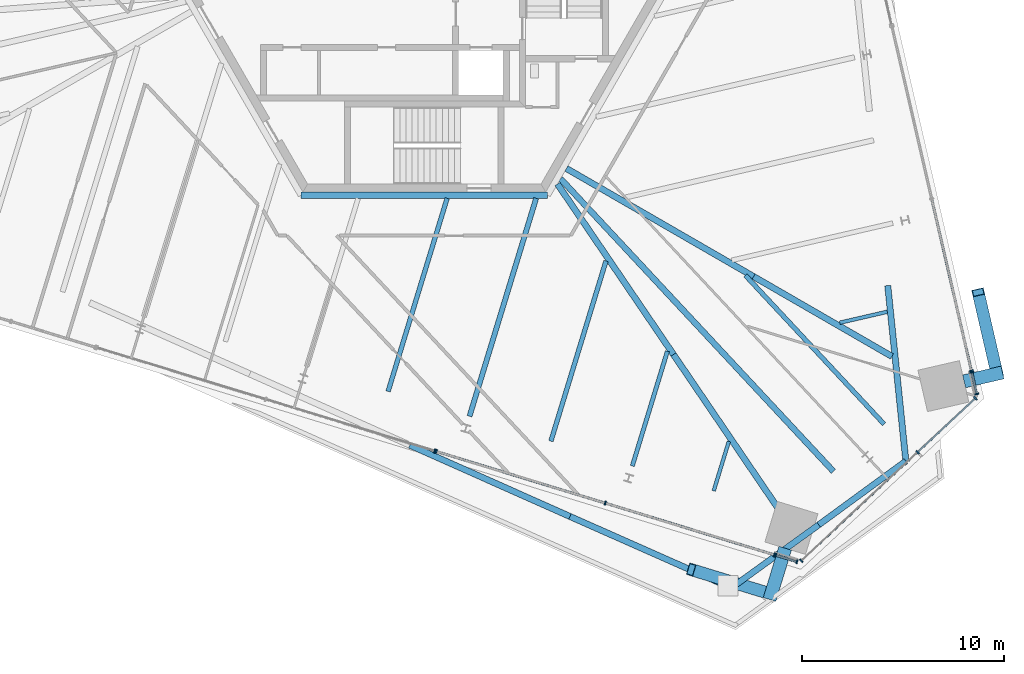
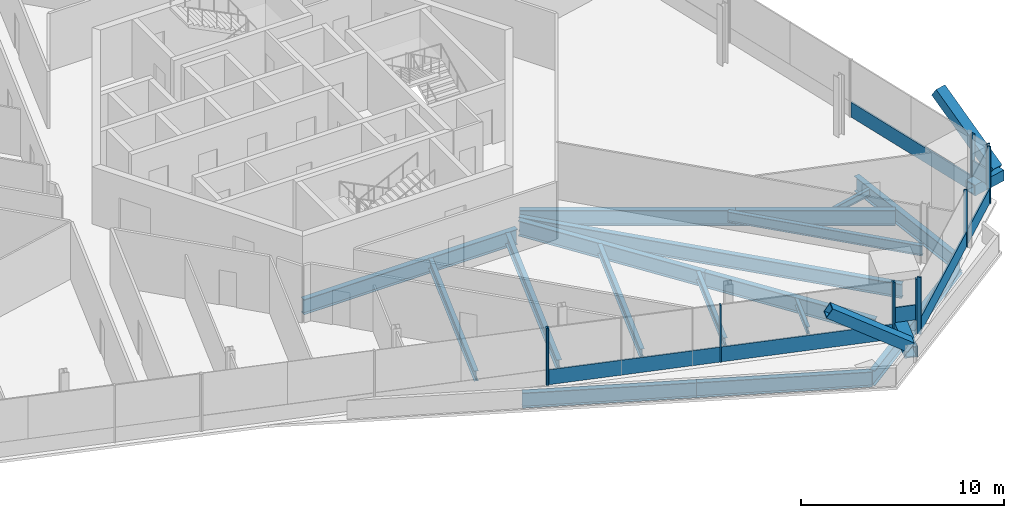
# One storey, part 6 of 25: 23 members, 18 beams, 6 elements without a shape of their own.
"""IFC4 building model written with IfcOpenShell, lengths in metres."""

from ifc_helpers import new_model, si_unit, direction, frame, origin, origin_2d, place, context, subcontext, project, spatial, rectangle, hollow_rectangle, i_section, extrude, source, transform, mapped, material, material_profile, profile_set, type_object, element, aggregate, save


model = new_model("IFC4")

# Units and contexts
model_context = context("Model", 3, precision=1e-05, world=origin(), true_north=direction((0.0, 1.0)))
body_context = subcontext(model_context, "Body", "Model", "MODEL_VIEW")
ifc_project = project(units=[si_unit("LENGTHUNIT", "METRE"), si_unit("AREAUNIT", "SQUARE_METRE"), si_unit("VOLUMEUNIT", "CUBIC_METRE"), si_unit("PLANEANGLEUNIT", "RADIAN"), si_unit("MASSUNIT", "GRAM", prefix="KILO")], contexts=[model_context])

# Site, building, storey
site_placement = place(None, origin())
site = spatial("IfcSite", under=ifc_project, at=site_placement, CompositionType="ELEMENT")
building_placement = place(site_placement, origin())
building = spatial("IfcBuilding", under=site, at=building_placement, Name="Triune Harvest Tower", CompositionType="ELEMENT")
storey_placement = place(building_placement, frame((0.0, 0.0, 98.300048828125)))
storey = spatial("IfcBuildingStorey", under=building, at=storey_placement, Name="L24", CompositionType="ELEMENT", Elevation=98.300048828125)

# Member
ifc_material_1 = material(Name="Steel ASTM A572 Gr 50", Category="steel")
ifc_material_profile_1 = material_profile(ifc_material_1, hollow_rectangle(XDim=0.64990234375, YDim=0.64990234375, WallThickness=0.070068359375, at=origin_2d()), Name="Box 650x650x70")
ifc_profile_set_1 = profile_set([ifc_material_profile_1], Name="Steel ASTM A572 Gr 50")
member_type_1 = type_object("IfcMemberType", Name="BS-1 Brace stub Box 650x650x70", PredefinedType="STRUT", material=ifc_profile_set_1)
member_1_placement = place(storey_placement, frame((26.681640625, -19.747314453125, 0.599853515625), z_axis=(0.974382748469, 0.224896108204, 0.0), x_axis=(-0.224896108204, 0.974382748469, 0.0)))
element("IfcMember", 1, at=member_1_placement, inside=storey, type_object=member_type_1, Name="brace/B3-F1/stub1", PredefinedType="STRUT", context=body_context, shape_type="SweptSolid", body=[
    extrude(hollow_rectangle(XDim=0.64990234375, YDim=0.64990234375, WallThickness=0.070068359375, at=origin_2d()), origin(), (0.0, 0.0, 1.0), 1.948486328125),
])

# Beams
ifc_material_2 = material(Name="Steel ASTM A992 Gr 50", Category="steel")
ifc_material_profile_2 = material_profile(ifc_material_2, i_section(OverallWidth=0.307373046875, OverallDepth=0.922119140625, WebThickness=0.018310546875, FlangeThickness=0.030029296875, at=origin_2d()), Name="W36x182")
ifc_profile_set_2 = profile_set([ifc_material_profile_2], Name="Steel ASTM A992 Gr 50")
beam_type_1 = type_object("IfcBeamType", Name="HG-2 Hip girder W36x182", PredefinedType="BEAM", material=ifc_profile_set_2)
beam_1_placement = place(storey_placement, frame((23.115478515625, -18.515380859375, -0.62109375), z_axis=(-0.866018279777, 0.50001233894, 0.0), x_axis=(-0.50001233894, -0.866018279777, 0.0)))
element("IfcBeam", 2, at=beam_1_placement, inside=storey, type_object=beam_type_1, Name="beam/L24/HG1", PredefinedType="BEAM", context=body_context, shape_type="SweptSolid", body=[
    extrude(i_section(OverallWidth=0.307373046875, OverallDepth=0.922119140625, WebThickness=0.018310546875, FlangeThickness=0.030029296875, at=origin_2d()), origin(), (0.0, 0.0, 1.0), 7.897705078125),
])
beam_2_placement = place(storey_placement, frame((17.583740234375, -26.164794921875, -0.62109375), z_axis=(-0.562418395821, 0.826852797082, 0.0), x_axis=(-0.826852797082, -0.562418395821, 0.0)))
element("IfcBeam", 3, at=beam_2_placement, inside=storey, type_object=beam_type_1, Name="beam/L24/HG7", PredefinedType="BEAM", context=body_context, shape_type="SweptSolid", body=[
    extrude(i_section(OverallWidth=0.307373046875, OverallDepth=0.922119140625, WebThickness=0.018310546875, FlangeThickness=0.030029296875, at=origin_2d()), origin(), (0.0, 0.0, 1.0), 9.365478515625),
])
ifc_material_3 = material(Name="Steel ASTM A992 Gr 50", Category="steel")
ifc_material_profile_3 = material_profile(ifc_material_3, i_section(OverallWidth=0.180908203125, OverallDepth=0.41650390625, WebThickness=0.010986328125, FlangeThickness=0.01806640625, at=origin_2d()), Name="W16x57")
ifc_profile_set_3 = profile_set([ifc_material_profile_3], Name="Steel ASTM A992 Gr 50")
beam_type_2 = type_object("IfcBeamType", Name="JT-1 Floor joist W16x57", PredefinedType="JOIST", material=ifc_profile_set_3)
beam_3_placement = place(storey_placement, frame((22.887451171875, -16.305419921875, -0.368408203125), z_axis=(-0.974369029086, -0.224955540402, 0.0), x_axis=(0.224955540402, -0.974369029086, 0.0)))
element("IfcBeam", 4, at=beam_3_placement, inside=storey, type_object=beam_type_2, Name="beam/L24/JT1", PredefinedType="JOIST", context=body_context, shape_type="SweptSolid", body=[
    extrude(i_section(OverallWidth=0.180908203125, OverallDepth=0.41650390625, WebThickness=0.010986328125, FlangeThickness=0.01806640625, at=origin_2d()), origin(), (0.0, 0.0, 1.0), 2.41357421875),
])
ifc_material_4 = material(Name="Steel ASTM A992 Gr 50", Category="steel")
ifc_material_profile_4 = material_profile(ifc_material_4, i_section(OverallWidth=0.2919921875, OverallDepth=0.8583984375, WebThickness=0.01708984375, FlangeThickness=0.031005859375, at=origin_2d()), Name="W33x169")
ifc_profile_set_4 = profile_set([ifc_material_profile_4], Name="Steel ASTM A992 Gr 50")
beam_type_3 = type_object("IfcBeamType", Name="JT-7 Floor joist W33x169", PredefinedType="JOIST", material=ifc_profile_set_4)
beam_4_placement = place(storey_placement, frame((20.223388671875, -24.197509765625, -0.58935546875), z_axis=(-0.681990114807, 0.731361390357, 0.0), x_axis=(-0.731361390357, -0.681990114807, 0.0)))
element("IfcBeam", 5, at=beam_4_placement, inside=storey, type_object=beam_type_3, Name="beam/L24/JT38", PredefinedType="JOIST", context=body_context, shape_type="SweptSolid", body=[
    extrude(i_section(OverallWidth=0.2919921875, OverallDepth=0.8583984375, WebThickness=0.01708984375, FlangeThickness=0.031005859375, at=origin_2d()), origin(), (0.0, 0.0, 1.0), 19.780029296875),
])
ifc_material_5 = material(Name="Steel ASTM A992 Gr 50", Category="steel")
ifc_material_profile_5 = material_profile(ifc_material_5, i_section(OverallWidth=0.3046875, OverallDepth=0.914306640625, WebThickness=0.0166015625, FlangeThickness=0.02587890625, at=origin_2d()), Name="W36x160")
ifc_profile_set_5 = profile_set([ifc_material_profile_5], Name="Steel ASTM A992 Gr 50")
beam_type_4 = type_object("IfcBeamType", Name="CG-1 Core ring girder W36x160", PredefinedType="BEAM", material=ifc_profile_set_5)
shared_shape_1 = source(origin(), body_context, "Body", "SweptSolid", [
    extrude(i_section(OverallWidth=0.3046875, OverallDepth=0.914306640625, WebThickness=0.0166015625, FlangeThickness=0.02587890625, at=origin_2d()), origin(), (0.0, 0.0, 1.0), 12.17578125),
])
beam_5_placement = place(storey_placement, frame((-6.087890625, -10.544677734375, -0.6171875), z_axis=(1.0, 0.0, 0.0), x_axis=(0.0, 1.0, 0.0)))
element("IfcBeam", 6, at=beam_5_placement, inside=storey, type_object=beam_type_4, Name="beam/L24/CG5", PredefinedType="BEAM", context=body_context, shape_type="MappedRepresentation", body=[
    mapped(shared_shape_1, transform((0.0, 0.0, 0.0), scale=1.0)),
])
ifc_material_6 = material(Name="Steel ASTM A992 Gr 50", Category="steel")
ifc_material_profile_6 = material_profile(ifc_material_6, i_section(OverallWidth=0.3046875, OverallDepth=0.914306640625, WebThickness=0.0166015625, FlangeThickness=0.02587890625, at=origin_2d()), Name="W36x160")
ifc_profile_set_6 = profile_set([ifc_material_profile_6], Name="Steel ASTM A992 Gr 50")
beam_type_5 = type_object("IfcBeamType", Name="SB-1 Spandrel beam W36x160", PredefinedType="SPANDREL", material=ifc_profile_set_6)
shared_shape_2 = source(origin(), body_context, "Body", "SweptSolid", [
    extrude(i_section(OverallWidth=0.3046875, OverallDepth=0.914306640625, WebThickness=0.0166015625, FlangeThickness=0.02587890625, at=origin_2d()), origin(), (0.0, 0.0, 1.0), 8.722412109375),
])
beam_6_placement = place(storey_placement, frame((23.802978515625, -23.6884765625, -0.6171875), z_axis=(-0.1026957431, 0.994712815012, 0.0), x_axis=(-0.994712815012, -0.1026957431, 0.0)))
element("IfcBeam", 7, at=beam_6_placement, inside=storey, type_object=beam_type_5, Name="beam/L24/WB1", PredefinedType="SPANDREL", context=body_context, shape_type="MappedRepresentation", body=[
    mapped(shared_shape_2, transform((0.0, 0.0, 0.0), scale=1.0)),
])
shared_shape_3 = source(origin(), body_context, "Body", "SweptSolid", [
    extrude(i_section(OverallWidth=0.3046875, OverallDepth=0.914306640625, WebThickness=0.0166015625, FlangeThickness=0.02587890625, at=origin_2d()), origin(), (0.0, 0.0, 1.0), 8.662109375),
])
beam_7_placement = place(storey_placement, frame((-0.714599609375, -22.90185546875, -0.6171875), z_axis=(0.913547524684, -0.406732000392, 0.0), x_axis=(0.406732000392, 0.913547524684, 0.0)))
element("IfcBeam", 8, at=beam_7_placement, inside=storey, type_object=beam_type_5, Name="beam/L24/WB18", PredefinedType="SPANDREL", context=body_context, shape_type="MappedRepresentation", body=[
    mapped(shared_shape_3, transform((0.0, 0.0, 0.0), scale=1.0)),
])
shared_shape_4 = source(origin(), body_context, "Body", "SweptSolid", [
    extrude(i_section(OverallWidth=0.3046875, OverallDepth=0.914306640625, WebThickness=0.0166015625, FlangeThickness=0.02587890625, at=origin_2d()), origin(), (0.0, 0.0, 1.0), 5.333251953125),
])
for number, where, z_axis, x_axis, name in (
    (9, (15.17333984375, -29.9580078125, -0.6171875), (0.810787851647, 0.585340123024, 0.0), (-0.585340123024, 0.810787851647, 0.0), "beam/L24/WB20"),
    (10, (19.49755859375, -26.836181640625, -0.6171875), (0.807262779797, 0.590192175782, 0.0), (-0.590192175782, 0.807262779797, 0.0), "beam/L24/WB21"),
):
    element("IfcBeam", number, at=place(storey_placement, frame(where, z_axis=z_axis, x_axis=x_axis)), inside=storey, type_object=beam_type_5, Name=name, PredefinedType="SPANDREL", context=body_context, shape_type="MappedRepresentation", body=[
        mapped(shared_shape_4, transform((0.0, 0.0, 0.0), scale=1.0)),
    ])
shared_shape_5 = source(origin(), body_context, "Body", "SweptSolid", [
    extrude(i_section(OverallWidth=0.3046875, OverallDepth=0.914306640625, WebThickness=0.0166015625, FlangeThickness=0.02587890625, at=origin_2d()), origin(), (0.0, 0.0, 1.0), 8.72216796875),
])
beam_8_placement = place(storey_placement, frame((7.19873046875, -26.425048828125, -0.6171875), z_axis=(0.914292233606, -0.405055195705, 0.0), x_axis=(0.405055195705, 0.914292233606, 0.0)))
element("IfcBeam", 11, at=beam_8_placement, inside=storey, type_object=beam_type_5, Name="beam/L24/WB19", PredefinedType="SPANDREL", context=body_context, shape_type="MappedRepresentation", body=[
    mapped(shared_shape_5, transform((0.0, 0.0, 0.0), scale=1.0)),
])
shared_shape_6 = source(origin(), body_context, "Body", "SweptSolid", [
    extrude(i_section(OverallWidth=0.307373046875, OverallDepth=0.922119140625, WebThickness=0.018310546875, FlangeThickness=0.030029296875, at=origin_2d()), origin(), (0.0, 0.0, 1.0), 10.681640625),
])
beam_9_placement = place(storey_placement, frame((16.27587890625, -14.56640625, -0.62109375), z_axis=(-0.866023441189, 0.500003399299, 0.0), x_axis=(-0.500003399299, -0.866023441189, 0.0)))
element("IfcBeam", 12, at=beam_9_placement, inside=storey, type_object=beam_type_1, Name="beam/L24/HG2", PredefinedType="BEAM", context=body_context, shape_type="MappedRepresentation", body=[
    mapped(shared_shape_6, transform((0.0, 0.0, 0.0), scale=1.0)),
])
shared_shape_7 = source(origin(), body_context, "Body", "SweptSolid", [
    extrude(i_section(OverallWidth=0.307373046875, OverallDepth=0.922119140625, WebThickness=0.018310546875, FlangeThickness=0.030029296875, at=origin_2d()), origin(), (0.0, 0.0, 1.0), 10.194091796875),
])
beam_10_placement = place(storey_placement, frame((12.31640625, -18.4208984375, -0.62109375), z_axis=(-0.562397141719, 0.826867253545, 0.0), x_axis=(-0.826867253545, -0.562397141719, 0.0)))
element("IfcBeam", 13, at=beam_10_placement, inside=storey, type_object=beam_type_1, Name="beam/L24/HG8", PredefinedType="BEAM", context=body_context, shape_type="MappedRepresentation", body=[
    mapped(shared_shape_7, transform((0.0, 0.0, 0.0), scale=1.0)),
])
ifc_material_7 = material(Name="Steel ASTM A992 Gr 50", Category="steel")
ifc_material_profile_7 = material_profile(ifc_material_7, i_section(OverallWidth=0.253662109375, OverallDepth=0.683349609375, WebThickness=0.012451171875, FlangeThickness=0.01904296875, at=origin_2d()), Name="W27x94")
ifc_profile_set_7 = profile_set([ifc_material_profile_7], Name="Steel ASTM A992 Gr 50")
beam_type_6 = type_object("IfcBeamType", Name="JT-4 Floor joist W27x94", PredefinedType="JOIST", material=ifc_profile_set_7)
shared_shape_8 = source(origin(), body_context, "Body", "SweptSolid", [
    extrude(i_section(OverallWidth=0.253662109375, OverallDepth=0.683349609375, WebThickness=0.012451171875, FlangeThickness=0.01904296875, at=origin_2d()), origin(), (0.0, 0.0, 1.0), 11.267333984375),
])
beam_11_placement = place(storey_placement, frame((2.234375, -21.471923828125, -0.501708984375), z_axis=(0.292369368505, 0.956305470213, 0.0), x_axis=(-0.956305470213, 0.292369368505, 0.0)))
element("IfcBeam", 14, at=beam_11_placement, inside=storey, type_object=beam_type_6, Name="beam/L24/JT34", PredefinedType="JOIST", context=body_context, shape_type="MappedRepresentation", body=[
    mapped(shared_shape_8, transform((0.0, 0.0, 0.0), scale=1.0)),
])
ifc_material_8 = material(Name="Steel ASTM A992 Gr 50", Category="steel")
ifc_material_profile_8 = material_profile(ifc_material_8, i_section(OverallWidth=0.22900390625, OverallDepth=0.612060546875, WebThickness=0.011962890625, FlangeThickness=0.01953125, at=origin_2d()), Name="W24x84")
ifc_profile_set_8 = profile_set([ifc_material_profile_8], Name="Steel ASTM A992 Gr 50")
beam_type_7 = type_object("IfcBeamType", Name="JT-3 Floor joist W24x84", PredefinedType="JOIST", material=ifc_profile_set_8)
shared_shape_9 = source(origin(), body_context, "Body", "SweptSolid", [
    extrude(i_section(OverallWidth=0.22900390625, OverallDepth=0.612060546875, WebThickness=0.011962890625, FlangeThickness=0.01953125, at=origin_2d()), origin(), (0.0, 0.0, 1.0), 9.317626953125),
])
beam_12_placement = place(storey_placement, frame((6.2578125, -22.7021484375, -0.466064453125), z_axis=(0.29235832407, 0.956308846737, 0.0), x_axis=(-0.956308846737, 0.29235832407, 0.0)))
element("IfcBeam", 15, at=beam_12_placement, inside=storey, type_object=beam_type_7, Name="beam/L24/JT35", PredefinedType="JOIST", context=body_context, shape_type="MappedRepresentation", body=[
    mapped(shared_shape_9, transform((0.0, 0.0, 0.0), scale=1.0)),
])
ifc_material_9 = material(Name="Steel ASTM A992 Gr 50", Category="steel")
ifc_material_profile_9 = material_profile(ifc_material_9, i_section(OverallWidth=0.2099609375, OverallDepth=0.535888671875, WebThickness=0.010986328125, FlangeThickness=0.017333984375, at=origin_2d()), Name="W21x68")
ifc_profile_set_9 = profile_set([ifc_material_profile_9], Name="Steel ASTM A992 Gr 50")
beam_type_8 = type_object("IfcBeamType", Name="JT-2 Floor joist W21x68", PredefinedType="JOIST", material=ifc_profile_set_9)
shared_shape_10 = source(origin(), body_context, "Body", "SweptSolid", [
    extrude(i_section(OverallWidth=0.2099609375, OverallDepth=0.535888671875, WebThickness=0.010986328125, FlangeThickness=0.017333984375, at=origin_2d()), origin(), (0.0, 0.0, 1.0), 5.937744140625),
])
beam_13_placement = place(storey_placement, frame((10.281005859375, -23.93212890625, -0.427978515625), z_axis=(0.292383579921, 0.95630112527, 0.0), x_axis=(-0.95630112527, 0.292383579921, 0.0)))
element("IfcBeam", 16, at=beam_13_placement, inside=storey, type_object=beam_type_8, Name="beam/L24/JT36", PredefinedType="JOIST", context=body_context, shape_type="MappedRepresentation", body=[
    mapped(shared_shape_10, transform((0.0, 0.0, 0.0), scale=1.0)),
])
shared_shape_11 = source(origin(), body_context, "Body", "SweptSolid", [
    extrude(i_section(OverallWidth=0.180908203125, OverallDepth=0.41650390625, WebThickness=0.010986328125, FlangeThickness=0.01806640625, at=origin_2d()), origin(), (0.0, 0.0, 1.0), 2.5576171875),
])
beam_14_placement = place(storey_placement, frame((14.304443359375, -25.162109375, -0.368408203125), z_axis=(0.292388294243, 0.95629968388, 0.0), x_axis=(-0.95629968388, 0.292388294243, 0.0)))
element("IfcBeam", 17, at=beam_14_placement, inside=storey, type_object=beam_type_2, Name="beam/L24/JT37", PredefinedType="JOIST", context=body_context, shape_type="MappedRepresentation", body=[
    mapped(shared_shape_11, transform((0.0, 0.0, 0.0), scale=1.0)),
])
shared_shape_12 = source(origin(), body_context, "Body", "SweptSolid", [
    extrude(i_section(OverallWidth=0.22900390625, OverallDepth=0.612060546875, WebThickness=0.011962890625, FlangeThickness=0.01953125, at=origin_2d()), origin(), (0.0, 0.0, 1.0), 10.05029296875),
])
beam_15_placement = place(storey_placement, frame((22.727783203125, -21.862060546875, -0.466064453125), z_axis=(-0.681995349551, 0.731356508955, 0.0), x_axis=(-0.731356508955, -0.681995349551, 0.0)))
element("IfcBeam", 18, at=beam_15_placement, inside=storey, type_object=beam_type_7, Name="beam/L24/JT39", PredefinedType="JOIST", context=body_context, shape_type="MappedRepresentation", body=[
    mapped(shared_shape_12, transform((0.0, 0.0, 0.0), scale=1.0)),
])
shared_shape_13 = source(origin(), body_context, "Body", "SweptSolid", [
    extrude(i_section(OverallWidth=0.22900390625, OverallDepth=0.612060546875, WebThickness=0.011962890625, FlangeThickness=0.01953125, at=origin_2d()), origin(), (0.0, 0.0, 1.0), 9.98095703125),
])
beam_16_placement = place(storey_placement, frame((-1.7890625, -20.241943359375, -0.466064453125), z_axis=(0.292352763781, 0.956310546585, 0.0), x_axis=(-0.956310546585, 0.292352763781, 0.0)))
element("IfcBeam", 19, at=beam_16_placement, inside=storey, type_object=beam_type_7, Name="beam/L24/JT33", PredefinedType="JOIST", context=body_context, shape_type="MappedRepresentation", body=[
    mapped(shared_shape_13, transform((0.0, 0.0, 0.0), scale=1.0)),
])

# Members
ifc_material_10 = material(Name="Steel ASTM A572 Gr 50", Category="steel")
ifc_material_profile_10 = material_profile(ifc_material_10, hollow_rectangle(XDim=0.60009765625, YDim=0.60009765625, WallThickness=0.0400390625, at=origin_2d()), Name="Box 600x600x40")
ifc_profile_set_10 = profile_set([ifc_material_profile_10], Name="Steel ASTM A572 Gr 50")
member_type_2 = type_object("IfcMemberType", Name="BR-2 Brace Box 600x600x40", PredefinedType="BRACE", material=ifc_profile_set_10)
shared_shape_14 = source(origin(), body_context, "Body", "SweptSolid", [
    extrude(hollow_rectangle(XDim=0.60009765625, YDim=0.60009765625, WallThickness=0.0400390625, at=origin_2d()), origin(), (0.0, 0.0, 1.0), 4.943115234375),
])
for number, where, z_axis, x_axis, name in (
    (20, (28.3076171875, -19.3720703125, 0.889892578125), (-0.18812790426, 0.814891649351, 0.548233063082), (-0.97437128523, -0.224945767952, 0.0), "brace/B3-F1/d1/1"),
    (21, (17.1455078125, -30.25927734375, 0.889892578125), (-0.799787691982, 0.244485214309, 0.548239571482), (-0.292334064219, -0.95631626301, 0.0), "brace/B3-F5/d2/1"),
):
    element("IfcMember", number, at=place(storey_placement, frame(where, z_axis=z_axis, x_axis=x_axis)), inside=storey, type_object=member_type_2, Name=name, PredefinedType="BRACE", context=body_context, shape_type="MappedRepresentation", body=[
        mapped(shared_shape_14, transform((0.0, 0.0, 0.0), scale=1.0)),
    ])
shared_shape_15 = source(origin(), body_context, "Body", "SweptSolid", [
    extrude(hollow_rectangle(XDim=0.64990234375, YDim=0.64990234375, WallThickness=0.070068359375, at=origin_2d()), origin(), (0.0, 0.0, 1.0), 2.648681640625),
])
member_2_placement = place(storey_placement, frame((17.838134765625, -27.994140625, 0.599853515625), z_axis=(-0.29237542885, -0.956303617375, 0.0), x_axis=(0.956303617375, -0.29237542885, 0.0)))
element("IfcMember", 22, at=member_2_placement, inside=storey, type_object=member_type_1, Name="brace/B3-F5/stub3", PredefinedType="STRUT", context=body_context, shape_type="MappedRepresentation", body=[
    mapped(shared_shape_15, transform((0.0, 0.0, 0.0), scale=1.0)),
])

# Curtain wall, member
ifc_material_11 = material(Name="Aluminium bronze anodised", Category="aluminium")
curtain_wall_type_1 = type_object("IfcCurtainWallType", Name="CW-7 Tower stick curtain wall with insulated spandrel infill", PredefinedType="NOTDEFINED", material=ifc_material_11)
curtain_wall_1_placement = place(storey_placement, origin())
curtain_wall_1 = element("IfcCurtainWall", 23, at=curtain_wall_1_placement, inside=storey, type_object=curtain_wall_type_1, Name="CW-7 B3-F1 L24 run 101")
ifc_material_12 = material(Name="Aluminium bronze anodised", Category="aluminium")
ifc_material_profile_11 = material_profile(ifc_material_12, rectangle(XDim=0.199951171875, YDim=0.074951171875, at=origin_2d()), Name="MU-1 mullion 75 x 200")
ifc_profile_set_11 = profile_set([ifc_material_profile_11], Name="Aluminium bronze anodised")
member_type_3 = type_object("IfcMemberType", Name="MU-1 mullion 75 x 200", PredefinedType="MULLION", material=ifc_profile_set_11)
shared_shape_16 = source(origin(), body_context, "Body", "SweptSolid", [
    extrude(rectangle(XDim=0.199951171875, YDim=0.074951171875, at=origin_2d()), origin(), (0.0, 0.0, 1.0), 3.43994140625),
])
member_3_placement = place(storey_placement, frame((27.043212890625, -19.230224609375, 0.0), z_axis=(0.0, 0.0, 1.0), x_axis=(-0.97437034864, -0.224949824829, 0.0)))
member_3 = element("IfcMember", 24, at=member_3_placement, type_object=member_type_3, Name="CW-7 mullion B3-F1 101.1", PredefinedType="MULLION", context=body_context, shape_type="MappedRepresentation", body=[
    mapped(shared_shape_16, transform((0.0, 0.0, 0.0), scale=1.0)),
])

ifc_material_13 = material(Name="Aluminium bronze anodised", Category="aluminium")
curtain_wall_type_2 = type_object("IfcCurtainWallType", Name="CW-1 Tower stick curtain wall", PredefinedType="NOTDEFINED", material=ifc_material_13)
curtain_wall_2_placement = place(storey_placement, origin())
curtain_wall_2 = element("IfcCurtainWall", 25, at=curtain_wall_2_placement, inside=storey, type_object=curtain_wall_type_2, Name="CW-1 B3-F5 L24 run 1201")
member_4_placement = place(storey_placement, frame((0.5166015625, -23.1884765625, 0.0), z_axis=(0.0, 0.0, 1.0), x_axis=(0.292379389313, 0.956302406514, 0.0)))
member_4 = element("IfcMember", 26, at=member_4_placement, type_object=member_type_3, Name="CW-1 mullion B3-F5 1201.5", PredefinedType="MULLION", context=body_context, shape_type="MappedRepresentation", body=[
    mapped(shared_shape_16, transform((0.0, 0.0, 0.0), scale=1.0)),
])
aggregate(curtain_wall_2, [member_4])

# Curtain wall, members
curtain_wall_3_placement = place(storey_placement, origin())
curtain_wall_3 = element("IfcCurtainWall", 27, at=curtain_wall_3_placement, inside=storey, type_object=curtain_wall_type_1, Name="CW-7 B3-F5 L24 run 2201")
member_5_placement = place(storey_placement, frame((0.58837890625, -23.21044921875, 0.0), z_axis=(0.0, 0.0, 1.0), x_axis=(0.292372584104, 0.956304487109, 0.0)))
member_5 = element("IfcMember", 28, at=member_5_placement, type_object=member_type_3, Name="CW-7 mullion B3-F5 2201.1", PredefinedType="MULLION", context=body_context, shape_type="MappedRepresentation", body=[
    mapped(shared_shape_16, transform((0.0, 0.0, 0.0), scale=1.0)),
])
member_6_placement = place(storey_placement, frame((8.942626953125, -25.7646484375, 0.0), z_axis=(0.0, 0.0, 1.0), x_axis=(0.292372584104, 0.956304487109, 0.0)))
member_6 = element("IfcMember", 29, at=member_6_placement, type_object=member_type_3, Name="CW-7 mullion B3-F5 2201.3", PredefinedType="MULLION", context=body_context, shape_type="MappedRepresentation", body=[
    mapped(shared_shape_16, transform((0.0, 0.0, 0.0), scale=1.0)),
])
member_7_placement = place(storey_placement, frame((17.297119140625, -28.31884765625, 0.0), z_axis=(0.0, 0.0, 1.0), x_axis=(0.292372584104, 0.956304487109, 0.0)))
member_7 = element("IfcMember", 30, at=member_7_placement, type_object=member_type_3, Name="CW-7 mullion B3-F5 2201.5", PredefinedType="MULLION", context=body_context, shape_type="MappedRepresentation", body=[
    mapped(shared_shape_16, transform((0.0, 0.0, 0.0), scale=1.0)),
])

curtain_wall_4_placement = place(storey_placement, origin())
curtain_wall_4 = element("IfcCurtainWall", 31, at=curtain_wall_4_placement, inside=storey, type_object=curtain_wall_type_2, Name="CW-1 B3-F6 L24 run 1")
member_8_placement = place(storey_placement, frame((18.6328125, -28.61181640625, 0.0), z_axis=(0.0, 0.0, 1.0), x_axis=(-0.682002387287, 0.731349946151, 0.0)))
member_8 = element("IfcMember", 32, at=member_8_placement, type_object=member_type_3, Name="CW-1 mullion B3-F6 1.1", PredefinedType="MULLION", context=body_context, shape_type="MappedRepresentation", body=[
    mapped(shared_shape_16, transform((0.0, 0.0, 0.0), scale=1.0)),
])
member_9_placement = place(storey_placement, frame((24.381591796875, -23.2509765625, 0.0), z_axis=(0.0, 0.0, 1.0), x_axis=(-0.682002387287, 0.731349946151, 0.0)))
member_9 = element("IfcMember", 33, at=member_9_placement, type_object=member_type_3, Name="CW-1 mullion B3-F6 1.3", PredefinedType="MULLION", context=body_context, shape_type="MappedRepresentation", body=[
    mapped(shared_shape_16, transform((0.0, 0.0, 0.0), scale=1.0)),
])
member_10_placement = place(storey_placement, frame((27.2421875, -20.583251953125, 0.0), z_axis=(0.0, 0.0, 1.0), x_axis=(-0.682002387287, 0.731349946151, 0.0)))
member_10 = element("IfcMember", 34, at=member_10_placement, type_object=member_type_3, Name="CW-1 mullion B3-F6 1.4", PredefinedType="MULLION", context=body_context, shape_type="MappedRepresentation", body=[
    mapped(shared_shape_16, transform((0.0, 0.0, 0.0), scale=1.0)),
])

curtain_wall_5_placement = place(storey_placement, origin())
curtain_wall_5 = element("IfcCurtainWall", 35, at=curtain_wall_5_placement, inside=storey, type_object=curtain_wall_type_2, Name="CW-1 B3-F1 L24 run 1")
shared_shape_17 = source(origin(), body_context, "Body", "SweptSolid", [
    extrude(rectangle(XDim=0.199951171875, YDim=0.074951171875, at=origin_2d()), origin(), (0.0, 0.0, 1.0), 2.455078125),
])
member_11_placement = place(storey_placement, frame((27.306884765625, -20.3720703125, 0.98486328125), z_axis=(0.0, 0.0, 1.0), x_axis=(-0.974371056231, -0.224946759876, 0.0)))
member_11 = element("IfcMember", 36, at=member_11_placement, type_object=member_type_3, Name="CW-1 mullion B3-F1 1.1", PredefinedType="MULLION", context=body_context, shape_type="MappedRepresentation", body=[
    mapped(shared_shape_17, transform((0.0, 0.0, 0.0), scale=1.0)),
])
member_12_placement = place(storey_placement, frame((27.06005859375, -19.30322265625, 0.98486328125), z_axis=(0.0, 0.0, 1.0), x_axis=(-0.974371056231, -0.224946759876, 0.0)))
member_12 = element("IfcMember", 37, at=member_12_placement, type_object=member_type_3, Name="CW-1 mullion B3-F1 1.2", PredefinedType="MULLION", context=body_context, shape_type="MappedRepresentation", body=[
    mapped(shared_shape_17, transform((0.0, 0.0, 0.0), scale=1.0)),
])

curtain_wall_6_placement = place(storey_placement, origin())
curtain_wall_6 = element("IfcCurtainWall", 38, at=curtain_wall_6_placement, inside=storey, type_object=curtain_wall_type_2, Name="CW-1 B3-F5 L24 run 301")
member_13_placement = place(storey_placement, frame((17.36865234375, -28.3408203125, 0.98486328125), z_axis=(0.0, 0.0, 1.0), x_axis=(0.292370298651, 0.956305185841, 0.0)))
member_13 = element("IfcMember", 39, at=member_13_placement, type_object=member_type_3, Name="CW-1 mullion B3-F5 301.1", PredefinedType="MULLION", context=body_context, shape_type="MappedRepresentation", body=[
    mapped(shared_shape_17, transform((0.0, 0.0, 0.0), scale=1.0)),
])
member_14_placement = place(storey_placement, frame((18.417724609375, -28.661376953125, 0.98486328125), z_axis=(0.0, 0.0, 1.0), x_axis=(0.292370298651, 0.956305185841, 0.0)))
member_14 = element("IfcMember", 40, at=member_14_placement, type_object=member_type_3, Name="CW-1 mullion B3-F5 301.2", PredefinedType="MULLION", context=body_context, shape_type="MappedRepresentation", body=[
    mapped(shared_shape_17, transform((0.0, 0.0, 0.0), scale=1.0)),
])

# Member
ifc_material_14 = material(Name="Aluminium bronze anodised", Category="aluminium")
ifc_material_profile_12 = material_profile(ifc_material_14, rectangle(XDim=0.090087890625, YDim=0.89990234375, at=origin_2d()), Name="TR-1 transom 90 x 900")
ifc_profile_set_12 = profile_set([ifc_material_profile_12], Name="Aluminium bronze anodised")
member_type_4 = type_object("IfcMemberType", Name="TR-1 transom 90 x 900", PredefinedType="USERDEFINED", material=ifc_profile_set_12)
shared_shape_18 = source(origin(), body_context, "Body", "SweptSolid", [
    extrude(rectangle(XDim=0.090087890625, YDim=0.89990234375, at=origin_2d()), origin(), (0.0, 0.0, 1.0), 1.021728515625),
])
member_15_placement = place(storey_placement, frame((27.29833984375, -20.33544921875, 1.43505859375), z_axis=(-0.224842056026, 0.974395222608, 0.0), x_axis=(-0.974395222608, -0.224842056026, 0.0)))
member_15 = element("IfcMember", 41, at=member_15_placement, type_object=member_type_4, Name="CW-1 transom B3-F1 1.1", ObjectType="TRANSOM", PredefinedType="USERDEFINED", context=body_context, shape_type="MappedRepresentation", body=[
    mapped(shared_shape_18, transform((0.0, 0.0, 0.0), scale=1.0)),
])

aggregate(curtain_wall_5, [member_11, member_12, member_15])

shared_shape_19 = source(origin(), body_context, "Body", "SweptSolid", [
    extrude(rectangle(XDim=0.090087890625, YDim=0.89990234375, at=origin_2d()), origin(), (0.0, 0.0, 1.0), 8.660888671875),
])
member_16_placement = place(storey_placement, frame((27.034912109375, -19.193603515625, 0.449951171875), z_axis=(-0.224972734427, 0.97436505929, 0.0), x_axis=(-0.97436505929, -0.224972734427, 0.0)))
member_16 = element("IfcMember", 42, at=member_16_placement, type_object=member_type_4, Name="CW-7 transom B3-F1 101.1", ObjectType="TRANSOM", PredefinedType="USERDEFINED", context=body_context, shape_type="MappedRepresentation", body=[
    mapped(shared_shape_19, transform((0.0, 0.0, 0.0), scale=1.0)),
])

aggregate(curtain_wall_1, [member_3, member_16])

member_17_placement = place(storey_placement, frame((0.624267578125, -23.221435546875, 0.449951171875), z_axis=(0.956304073176, -0.29237393801, 0.0), x_axis=(0.29237393801, 0.956304073176, 0.0)))
member_17 = element("IfcMember", 43, at=member_17_placement, type_object=member_type_4, Name="CW-7 transom B3-F5 2201.1", ObjectType="TRANSOM", PredefinedType="USERDEFINED", context=body_context, shape_type="MappedRepresentation", body=[
    mapped(shared_shape_19, transform((0.0, 0.0, 0.0), scale=1.0)),
])

shared_shape_20 = source(origin(), body_context, "Body", "SweptSolid", [
    extrude(rectangle(XDim=0.090087890625, YDim=0.89990234375, at=origin_2d()), origin(), (0.0, 0.0, 1.0), 7.78564453125),
])
member_18_placement = place(storey_placement, frame((18.66015625, -28.586181640625, 0.449951171875), z_axis=(0.731354473546, 0.681997532271, 0.0), x_axis=(-0.681997532271, 0.731354473546, 0.0)))
member_18 = element("IfcMember", 44, at=member_18_placement, type_object=member_type_4, Name="CW-1 transom B3-F6 1.1", ObjectType="TRANSOM", PredefinedType="USERDEFINED", context=body_context, shape_type="MappedRepresentation", body=[
    mapped(shared_shape_20, transform((0.0, 0.0, 0.0), scale=1.0)),
])

shared_shape_21 = source(origin(), body_context, "Body", "SweptSolid", [
    extrude(rectangle(XDim=0.090087890625, YDim=0.89990234375, at=origin_2d()), origin(), (0.0, 0.0, 1.0), 3.83642578125),
])
member_19_placement = place(storey_placement, frame((24.408935546875, -23.225341796875, 0.449951171875), z_axis=(0.73136626704, 0.681984885049, 0.0), x_axis=(-0.681984885049, 0.73136626704, 0.0)))
member_19 = element("IfcMember", 45, at=member_19_placement, type_object=member_type_4, Name="CW-1 transom B3-F6 1.2", ObjectType="TRANSOM", PredefinedType="USERDEFINED", context=body_context, shape_type="MappedRepresentation", body=[
    mapped(shared_shape_21, transform((0.0, 0.0, 0.0), scale=1.0)),
])

aggregate(curtain_wall_4, [member_8, member_9, member_10, member_18, member_19])

shared_shape_22 = source(origin(), body_context, "Body", "SweptSolid", [
    extrude(rectangle(XDim=0.090087890625, YDim=0.89990234375, at=origin_2d()), origin(), (0.0, 0.0, 1.0), 8.6611328125),
])
member_20_placement = place(storey_placement, frame((8.978515625, -25.775634765625, 0.449951171875), z_axis=(0.956306482726, -0.292366056677, 0.0), x_axis=(0.292366056677, 0.956306482726, 0.0)))
member_20 = element("IfcMember", 46, at=member_20_placement, type_object=member_type_4, Name="CW-7 transom B3-F5 2201.2", ObjectType="TRANSOM", PredefinedType="USERDEFINED", context=body_context, shape_type="MappedRepresentation", body=[
    mapped(shared_shape_22, transform((0.0, 0.0, 0.0), scale=1.0)),
])

aggregate(curtain_wall_3, [member_5, member_6, member_7, member_17, member_20])

shared_shape_23 = source(origin(), body_context, "Body", "SweptSolid", [
    extrude(rectangle(XDim=0.090087890625, YDim=0.89990234375, at=origin_2d()), origin(), (0.0, 0.0, 1.0), 1.02197265625),
])
member_21_placement = place(storey_placement, frame((17.404541015625, -28.351806640625, 1.43505859375), z_axis=(0.956360843757, -0.292188186839, 0.0), x_axis=(0.292188186839, 0.956360843757, 0.0)))
member_21 = element("IfcMember", 47, at=member_21_placement, type_object=member_type_4, Name="CW-1 transom B3-F5 301.1", ObjectType="TRANSOM", PredefinedType="USERDEFINED", context=body_context, shape_type="MappedRepresentation", body=[
    mapped(shared_shape_23, transform((0.0, 0.0, 0.0), scale=1.0)),
])

aggregate(curtain_wall_6, [member_13, member_14, member_21])

save(model, "model.ifc")
